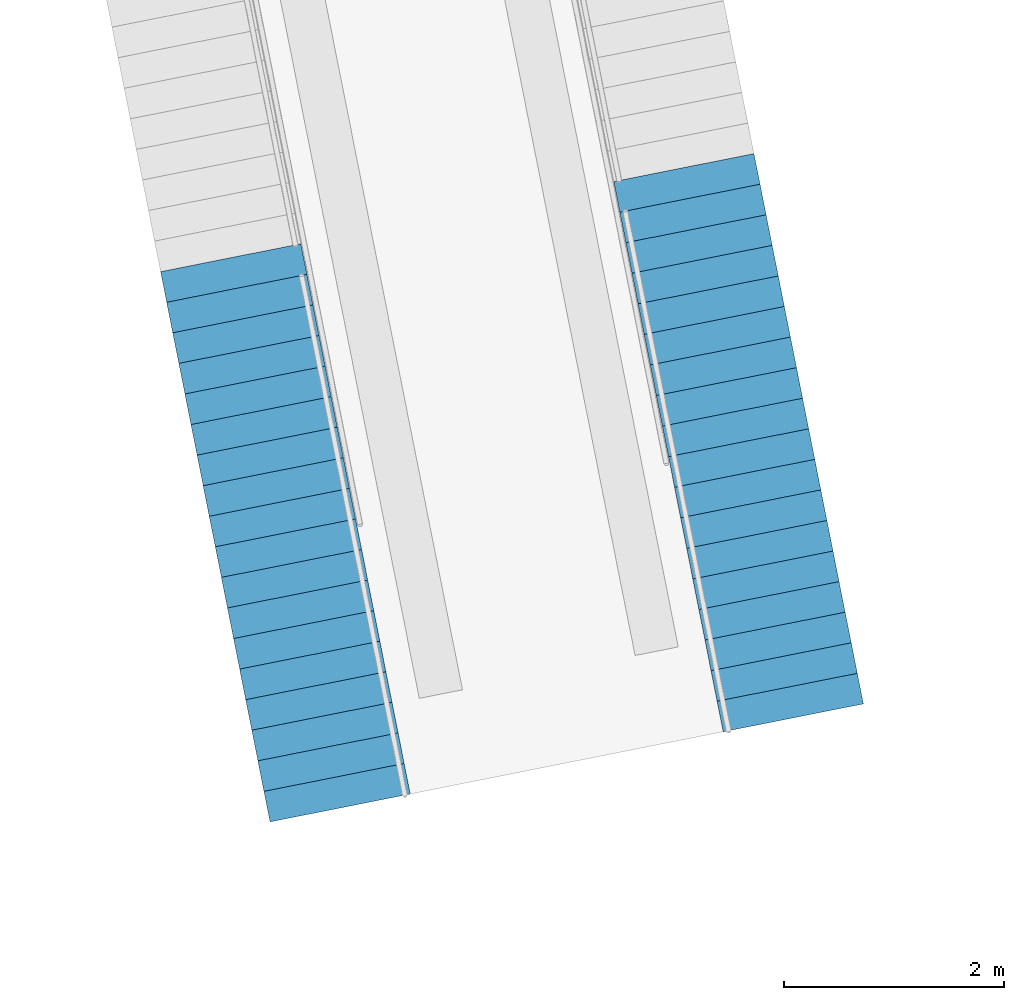
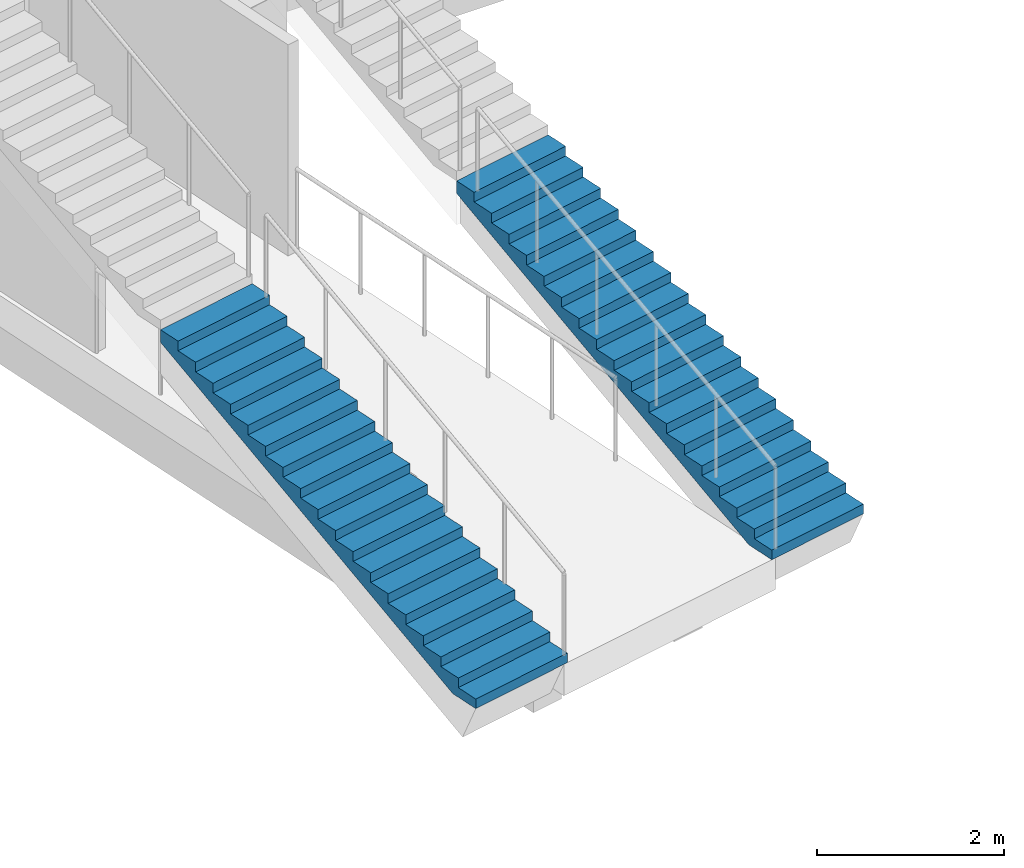
# One storey, part 120 of 175: 2 stair flights, 2 elements without a shape of their own.
"""IFC4 building model written with IfcOpenShell, lengths in metres."""

from ifc_helpers import new_model, si_unit, direction, frame, origin, place, context, subcontext, project, spatial, faceted_brep, material, type_object, element, aggregate, save


model = new_model("IFC4")

# Units and contexts
model_context = context("Model", 3, precision=1e-05, world=origin(), true_north=direction((0.0, 1.0)))
body_context = subcontext(model_context, "Body", "Model", "MODEL_VIEW")
ifc_project = project(units=[si_unit("LENGTHUNIT", "METRE"), si_unit("AREAUNIT", "SQUARE_METRE"), si_unit("VOLUMEUNIT", "CUBIC_METRE"), si_unit("PLANEANGLEUNIT", "RADIAN"), si_unit("MASSUNIT", "GRAM", prefix="KILO")], contexts=[model_context])

# Site, building, storey
site_placement = place(None, origin())
site = spatial("IfcSite", under=ifc_project, at=site_placement, CompositionType="ELEMENT")
building_placement = place(site_placement, origin())
building = spatial("IfcBuilding", under=site, at=building_placement, Name="Ogive Plaza Stadium", CompositionType="ELEMENT")
storey_placement = place(building_placement, origin())
storey = spatial("IfcBuildingStorey", under=building, at=storey_placement, Name="L00", CompositionType="ELEMENT", Elevation=0.0)

# Stair, stair flight
ifc_material_1 = material(Name="Concrete C40/50", Category="concrete")
stair_type = type_object("IfcStairType", Name="Aisle stair", PredefinedType="STRAIGHT_RUN_STAIR", material=ifc_material_1)
stair_1_placement = place(storey_placement, origin())
stair_1 = element("IfcStair", 1, at=stair_1_placement, inside=storey, type_object=stair_type, Name="Aisle stair SA31L", PredefinedType="STRAIGHT_RUN_STAIR")
ifc_material_2 = material(Name="Concrete C40/50", Category="concrete")
stair_flight_type = type_object("IfcStairFlightType", Name="Aisle stair flight", PredefinedType="STRAIGHT", material=ifc_material_2)
stair_flight_1_placement = place(storey_placement, frame((-34.89599609375, 67.7685546875, 0.0), z_axis=(0.0, 0.0, 1.0), x_axis=(-0.195090322016, 0.980785280403, 0.0)))
stair_flight_1 = element("IfcStairFlight", 2, at=stair_flight_1_placement, type_object=stair_flight_type, Name="SA31L flight 1", NumberOfRisers=18, NumberOfTreads=17, PredefinedType="STRAIGHT", RiserHeight=0.125, TreadLength=0.283333333, context=body_context, shape_type="Brep", body=[
    faceted_brep([(0.371337890625, -0.64990234375, 0.0), (5.10009765625, -0.64990234375, 2.086181640625), (5.10009765625, -0.64990234375, 2.25), (4.816650390625, -0.64990234375, 2.25), (4.816650390625, -0.64990234375, 2.125), (4.533447265625, -0.64990234375, 2.125), (4.533447265625, -0.64990234375, 2.0), (4.25, -0.64990234375, 2.0), (4.25, -0.64990234375, 1.875), (3.966552734375, -0.64990234375, 1.875), (3.966552734375, -0.64990234375, 1.75), (3.683349609375, -0.64990234375, 1.75), (3.683349609375, -0.64990234375, 1.625), (3.39990234375, -0.64990234375, 1.625), (3.39990234375, -0.64990234375, 1.5), (3.11669921875, -0.64990234375, 1.5), (3.11669921875, -0.64990234375, 1.375), (2.833251953125, -0.64990234375, 1.375), (2.833251953125, -0.64990234375, 1.25), (2.550048828125, -0.64990234375, 1.25), (2.550048828125, -0.64990234375, 1.125), (2.2666015625, -0.64990234375, 1.125), (2.2666015625, -0.64990234375, 1.0), (1.9833984375, -0.64990234375, 1.0), (1.9833984375, -0.64990234375, 0.875), (1.699951171875, -0.64990234375, 0.875), (1.699951171875, -0.64990234375, 0.75), (1.416748046875, -0.64990234375, 0.75), (1.416748046875, -0.64990234375, 0.625), (1.13330078125, -0.64990234375, 0.625), (1.13330078125, -0.64990234375, 0.5), (0.85009765625, -0.64990234375, 0.5), (0.85009765625, -0.64990234375, 0.375), (0.566650390625, -0.64990234375, 0.375), (0.566650390625, -0.64990234375, 0.25), (0.283447265625, -0.64990234375, 0.25), (0.283447265625, -0.64990234375, 0.125), (0.0, -0.64990234375, 0.125), (0.0, -0.64990234375, 0.0), (0.0, 0.64990234375, 0.0), (0.0, 0.64990234375, 0.125), (0.283447265625, 0.64990234375, 0.125), (0.283447265625, 0.64990234375, 0.25), (0.566650390625, 0.64990234375, 0.25), (0.566650390625, 0.64990234375, 0.375), (0.85009765625, 0.64990234375, 0.375), (0.85009765625, 0.64990234375, 0.5), (1.13330078125, 0.64990234375, 0.5), (1.13330078125, 0.64990234375, 0.625), (1.416748046875, 0.64990234375, 0.625), (1.416748046875, 0.64990234375, 0.75), (1.699951171875, 0.64990234375, 0.75), (1.699951171875, 0.64990234375, 0.875), (1.9833984375, 0.64990234375, 0.875), (1.9833984375, 0.64990234375, 1.0), (2.2666015625, 0.64990234375, 1.0), (2.2666015625, 0.64990234375, 1.125), (2.550048828125, 0.64990234375, 1.125), (2.550048828125, 0.64990234375, 1.25), (2.833251953125, 0.64990234375, 1.25), (2.833251953125, 0.64990234375, 1.375), (3.11669921875, 0.64990234375, 1.375), (3.11669921875, 0.64990234375, 1.5), (3.39990234375, 0.64990234375, 1.5), (3.39990234375, 0.64990234375, 1.625), (3.683349609375, 0.64990234375, 1.625), (3.683349609375, 0.64990234375, 1.75), (3.966552734375, 0.64990234375, 1.75), (3.966552734375, 0.64990234375, 1.875), (4.25, 0.64990234375, 1.875), (4.25, 0.64990234375, 2.0), (4.533447265625, 0.64990234375, 2.0), (4.533447265625, 0.64990234375, 2.125), (4.816650390625, 0.64990234375, 2.125), (4.816650390625, 0.64990234375, 2.25), (5.10009765625, 0.64990234375, 2.25), (5.10009765625, 0.64990234375, 2.086181640625), (0.371337890625, 0.64990234375, 0.0), (0.371337890625, -0.324951171875, 0.0), (5.10009765625, -0.324951171875, 2.086181640625), (0.371337890625, 0.0, 0.0), (5.10009765625, 0.0, 2.086181640625), (0.371337890625, 0.324951171875, 0.0), (5.10009765625, 0.324951171875, 2.086181640625), (5.10009765625, -0.324951171875, 2.25), (5.10009765625, 0.0, 2.25), (5.10009765625, 0.324951171875, 2.25), (4.816650390625, -0.324951171875, 2.25), (4.816650390625, 0.0, 2.25), (4.816650390625, 0.324951171875, 2.25), (4.816650390625, -0.324951171875, 2.125), (4.816650390625, 0.0, 2.125), (4.816650390625, 0.324951171875, 2.125), (4.533447265625, -0.324951171875, 2.125), (4.533447265625, 0.0, 2.125), (4.533447265625, 0.324951171875, 2.125), (4.533447265625, -0.324951171875, 2.0), (4.533447265625, 0.0, 2.0), (4.533447265625, 0.324951171875, 2.0), (4.25, -0.324951171875, 2.0), (4.25, 0.0, 2.0), (4.25, 0.324951171875, 2.0), (4.25, -0.324951171875, 1.875), (4.25, 0.0, 1.875), (4.25, 0.324951171875, 1.875), (3.966552734375, -0.324951171875, 1.875), (3.966552734375, 0.0, 1.875), (3.966552734375, 0.324951171875, 1.875), (3.966552734375, -0.324951171875, 1.75), (3.966552734375, 0.0, 1.75), (3.966552734375, 0.324951171875, 1.75), (3.683349609375, -0.324951171875, 1.75), (3.683349609375, 0.0, 1.75), (3.683349609375, 0.324951171875, 1.75), (3.683349609375, -0.324951171875, 1.625), (3.683349609375, 0.0, 1.625), (3.683349609375, 0.324951171875, 1.625), (3.39990234375, -0.324951171875, 1.625), (3.39990234375, 0.0, 1.625), (3.39990234375, 0.324951171875, 1.625), (3.39990234375, -0.324951171875, 1.5), (3.39990234375, 0.0, 1.5), (3.39990234375, 0.324951171875, 1.5), (3.11669921875, -0.324951171875, 1.5), (3.11669921875, 0.0, 1.5), (3.11669921875, 0.324951171875, 1.5), (3.11669921875, -0.324951171875, 1.375), (3.11669921875, 0.0, 1.375), (3.11669921875, 0.324951171875, 1.375), (2.833251953125, -0.324951171875, 1.375), (2.833251953125, 0.0, 1.375), (2.833251953125, 0.324951171875, 1.375), (2.833251953125, -0.324951171875, 1.25), (2.833251953125, 0.0, 1.25), (2.833251953125, 0.324951171875, 1.25), (2.550048828125, -0.324951171875, 1.25), (2.550048828125, 0.0, 1.25), (2.550048828125, 0.324951171875, 1.25), (2.550048828125, -0.324951171875, 1.125), (2.550048828125, 0.0, 1.125), (2.550048828125, 0.324951171875, 1.125), (2.2666015625, -0.324951171875, 1.125), (2.2666015625, 0.0, 1.125), (2.2666015625, 0.324951171875, 1.125), (2.2666015625, -0.324951171875, 1.0), (2.2666015625, 0.0, 1.0), (2.2666015625, 0.324951171875, 1.0), (1.9833984375, -0.324951171875, 1.0), (1.9833984375, 0.0, 1.0), (1.9833984375, 0.324951171875, 1.0), (1.9833984375, -0.324951171875, 0.875), (1.9833984375, 0.0, 0.875), (1.9833984375, 0.324951171875, 0.875), (1.699951171875, -0.324951171875, 0.875), (1.699951171875, 0.0, 0.875), (1.699951171875, 0.324951171875, 0.875), (1.699951171875, -0.324951171875, 0.75), (1.699951171875, 0.0, 0.75), (1.699951171875, 0.324951171875, 0.75), (1.416748046875, -0.324951171875, 0.75), (1.416748046875, 0.0, 0.75), (1.416748046875, 0.324951171875, 0.75), (1.416748046875, -0.324951171875, 0.625), (1.416748046875, 0.0, 0.625), (1.416748046875, 0.324951171875, 0.625), (1.13330078125, -0.324951171875, 0.625), (1.13330078125, 0.0, 0.625), (1.13330078125, 0.324951171875, 0.625), (1.13330078125, -0.324951171875, 0.5), (1.13330078125, 0.0, 0.5), (1.13330078125, 0.324951171875, 0.5), (0.85009765625, -0.324951171875, 0.5), (0.85009765625, 0.0, 0.5), (0.85009765625, 0.324951171875, 0.5), (0.85009765625, -0.324951171875, 0.375), (0.85009765625, 0.0, 0.375), (0.85009765625, 0.324951171875, 0.375), (0.566650390625, -0.324951171875, 0.375), (0.566650390625, 0.0, 0.375), (0.566650390625, 0.324951171875, 0.375), (0.566650390625, -0.324951171875, 0.25), (0.566650390625, 0.0, 0.25), (0.566650390625, 0.324951171875, 0.25), (0.283447265625, -0.324951171875, 0.25), (0.283447265625, 0.0, 0.25), (0.283447265625, 0.324951171875, 0.25), (0.283447265625, -0.324951171875, 0.125), (0.283447265625, 0.0, 0.125), (0.283447265625, 0.324951171875, 0.125), (0.0, -0.324951171875, 0.125), (0.0, 0.0, 0.125), (0.0, 0.324951171875, 0.125), (0.0, -0.324951171875, 0.0), (0.0, 0.0, 0.0), (0.0, 0.324951171875, 0.0)], [[[0, 1, 2, 3, 4, 5, 6, 7, 8, 9, 10, 11, 12, 13, 14, 15, 16, 17, 18, 19, 20, 21, 22, 23, 24, 25, 26, 27, 28, 29, 30, 31, 32, 33, 34, 35, 36, 37, 38]], [[39, 40, 41, 42, 43, 44, 45, 46, 47, 48, 49, 50, 51, 52, 53, 54, 55, 56, 57, 58, 59, 60, 61, 62, 63, 64, 65, 66, 67, 68, 69, 70, 71, 72, 73, 74, 75, 76, 77]], [[0, 78, 79, 1]], [[78, 80, 81, 79]], [[80, 82, 83, 81]], [[82, 77, 76, 83]], [[1, 79, 84, 2]], [[79, 81, 85, 84]], [[81, 83, 86, 85]], [[83, 76, 75, 86]], [[2, 84, 87, 3]], [[84, 85, 88, 87]], [[85, 86, 89, 88]], [[86, 75, 74, 89]], [[3, 87, 90, 4]], [[87, 88, 91, 90]], [[88, 89, 92, 91]], [[89, 74, 73, 92]], [[4, 90, 93, 5]], [[90, 91, 94, 93]], [[91, 92, 95, 94]], [[92, 73, 72, 95]], [[5, 93, 96, 6]], [[93, 94, 97, 96]], [[94, 95, 98, 97]], [[95, 72, 71, 98]], [[6, 96, 99, 7]], [[96, 97, 100, 99]], [[97, 98, 101, 100]], [[98, 71, 70, 101]], [[7, 99, 102, 8]], [[99, 100, 103, 102]], [[100, 101, 104, 103]], [[101, 70, 69, 104]], [[8, 102, 105, 9]], [[102, 103, 106, 105]], [[103, 104, 107, 106]], [[104, 69, 68, 107]], [[9, 105, 108, 10]], [[105, 106, 109, 108]], [[106, 107, 110, 109]], [[107, 68, 67, 110]], [[10, 108, 111, 11]], [[108, 109, 112, 111]], [[109, 110, 113, 112]], [[110, 67, 66, 113]], [[11, 111, 114, 12]], [[111, 112, 115, 114]], [[112, 113, 116, 115]], [[113, 66, 65, 116]], [[12, 114, 117, 13]], [[114, 115, 118, 117]], [[115, 116, 119, 118]], [[116, 65, 64, 119]], [[13, 117, 120, 14]], [[117, 118, 121, 120]], [[118, 119, 122, 121]], [[119, 64, 63, 122]], [[14, 120, 123, 15]], [[120, 121, 124, 123]], [[121, 122, 125, 124]], [[122, 63, 62, 125]], [[15, 123, 126, 16]], [[123, 124, 127, 126]], [[124, 125, 128, 127]], [[125, 62, 61, 128]], [[16, 126, 129, 17]], [[126, 127, 130, 129]], [[127, 128, 131, 130]], [[128, 61, 60, 131]], [[17, 129, 132, 18]], [[129, 130, 133, 132]], [[130, 131, 134, 133]], [[131, 60, 59, 134]], [[18, 132, 135, 19]], [[132, 133, 136, 135]], [[133, 134, 137, 136]], [[134, 59, 58, 137]], [[19, 135, 138, 20]], [[135, 136, 139, 138]], [[136, 137, 140, 139]], [[137, 58, 57, 140]], [[20, 138, 141, 21]], [[138, 139, 142, 141]], [[139, 140, 143, 142]], [[140, 57, 56, 143]], [[21, 141, 144, 22]], [[141, 142, 145, 144]], [[142, 143, 146, 145]], [[143, 56, 55, 146]], [[22, 144, 147, 23]], [[144, 145, 148, 147]], [[145, 146, 149, 148]], [[146, 55, 54, 149]], [[23, 147, 150, 24]], [[147, 148, 151, 150]], [[148, 149, 152, 151]], [[149, 54, 53, 152]], [[24, 150, 153, 25]], [[150, 151, 154, 153]], [[151, 152, 155, 154]], [[152, 53, 52, 155]], [[25, 153, 156, 26]], [[153, 154, 157, 156]], [[154, 155, 158, 157]], [[155, 52, 51, 158]], [[26, 156, 159, 27]], [[156, 157, 160, 159]], [[157, 158, 161, 160]], [[158, 51, 50, 161]], [[27, 159, 162, 28]], [[159, 160, 163, 162]], [[160, 161, 164, 163]], [[161, 50, 49, 164]], [[28, 162, 165, 29]], [[162, 163, 166, 165]], [[163, 164, 167, 166]], [[164, 49, 48, 167]], [[29, 165, 168, 30]], [[165, 166, 169, 168]], [[166, 167, 170, 169]], [[167, 48, 47, 170]], [[30, 168, 171, 31]], [[168, 169, 172, 171]], [[169, 170, 173, 172]], [[170, 47, 46, 173]], [[31, 171, 174, 32]], [[171, 172, 175, 174]], [[172, 173, 176, 175]], [[173, 46, 45, 176]], [[32, 174, 177, 33]], [[174, 175, 178, 177]], [[175, 176, 179, 178]], [[176, 45, 44, 179]], [[33, 177, 180, 34]], [[177, 178, 181, 180]], [[178, 179, 182, 181]], [[179, 44, 43, 182]], [[34, 180, 183, 35]], [[180, 181, 184, 183]], [[181, 182, 185, 184]], [[182, 43, 42, 185]], [[35, 183, 186, 36]], [[183, 184, 187, 186]], [[184, 185, 188, 187]], [[185, 42, 41, 188]], [[36, 186, 189, 37]], [[186, 187, 190, 189]], [[187, 188, 191, 190]], [[188, 41, 40, 191]], [[37, 189, 192, 38]], [[189, 190, 193, 192]], [[190, 191, 194, 193]], [[191, 40, 39, 194]], [[38, 192, 78, 0]], [[192, 193, 80, 78]], [[193, 194, 82, 80]], [[194, 39, 77, 82]]]),
])
aggregate(stair_1, [stair_flight_1])

stair_2_placement = place(storey_placement, origin())
stair_2 = element("IfcStair", 3, at=stair_2_placement, inside=storey, type_object=stair_type, Name="Aisle stair SA31R", PredefinedType="STRAIGHT_RUN_STAIR")
stair_flight_2_placement = place(storey_placement, frame((-39.015380859375, 66.94921875, 0.0), z_axis=(0.0, 0.0, 1.0), x_axis=(-0.195090322016, 0.980785280403, 0.0)))
stair_flight_2 = element("IfcStairFlight", 4, at=stair_flight_2_placement, type_object=stair_flight_type, Name="SA31R flight 1", NumberOfRisers=18, NumberOfTreads=17, PredefinedType="STRAIGHT", RiserHeight=0.125, TreadLength=0.283333333, context=body_context, shape_type="Brep", body=[
    faceted_brep([(0.371337890625, -0.64990234375, 0.0), (5.10009765625, -0.64990234375, 2.086181640625), (5.10009765625, -0.64990234375, 2.25), (4.816650390625, -0.64990234375, 2.25), (4.816650390625, -0.64990234375, 2.125), (4.533447265625, -0.64990234375, 2.125), (4.533447265625, -0.64990234375, 2.0), (4.25, -0.64990234375, 2.0), (4.25, -0.64990234375, 1.875), (3.966552734375, -0.64990234375, 1.875), (3.966552734375, -0.64990234375, 1.75), (3.683349609375, -0.64990234375, 1.75), (3.683349609375, -0.64990234375, 1.625), (3.39990234375, -0.64990234375, 1.625), (3.39990234375, -0.64990234375, 1.5), (3.11669921875, -0.64990234375, 1.5), (3.11669921875, -0.64990234375, 1.375), (2.833251953125, -0.64990234375, 1.375), (2.833251953125, -0.64990234375, 1.25), (2.550048828125, -0.64990234375, 1.25), (2.550048828125, -0.64990234375, 1.125), (2.2666015625, -0.64990234375, 1.125), (2.2666015625, -0.64990234375, 1.0), (1.9833984375, -0.64990234375, 1.0), (1.9833984375, -0.64990234375, 0.875), (1.699951171875, -0.64990234375, 0.875), (1.699951171875, -0.64990234375, 0.75), (1.416748046875, -0.64990234375, 0.75), (1.416748046875, -0.64990234375, 0.625), (1.13330078125, -0.64990234375, 0.625), (1.13330078125, -0.64990234375, 0.5), (0.85009765625, -0.64990234375, 0.5), (0.85009765625, -0.64990234375, 0.375), (0.566650390625, -0.64990234375, 0.375), (0.566650390625, -0.64990234375, 0.25), (0.283447265625, -0.64990234375, 0.25), (0.283447265625, -0.64990234375, 0.125), (0.0, -0.64990234375, 0.125), (0.0, -0.64990234375, 0.0), (0.0, 0.64990234375, 0.0), (0.0, 0.64990234375, 0.125), (0.283447265625, 0.64990234375, 0.125), (0.283447265625, 0.64990234375, 0.25), (0.566650390625, 0.64990234375, 0.25), (0.566650390625, 0.64990234375, 0.375), (0.85009765625, 0.64990234375, 0.375), (0.85009765625, 0.64990234375, 0.5), (1.13330078125, 0.64990234375, 0.5), (1.13330078125, 0.64990234375, 0.625), (1.416748046875, 0.64990234375, 0.625), (1.416748046875, 0.64990234375, 0.75), (1.699951171875, 0.64990234375, 0.75), (1.699951171875, 0.64990234375, 0.875), (1.9833984375, 0.64990234375, 0.875), (1.9833984375, 0.64990234375, 1.0), (2.2666015625, 0.64990234375, 1.0), (2.2666015625, 0.64990234375, 1.125), (2.550048828125, 0.64990234375, 1.125), (2.550048828125, 0.64990234375, 1.25), (2.833251953125, 0.64990234375, 1.25), (2.833251953125, 0.64990234375, 1.375), (3.11669921875, 0.64990234375, 1.375), (3.11669921875, 0.64990234375, 1.5), (3.39990234375, 0.64990234375, 1.5), (3.39990234375, 0.64990234375, 1.625), (3.683349609375, 0.64990234375, 1.625), (3.683349609375, 0.64990234375, 1.75), (3.966552734375, 0.64990234375, 1.75), (3.966552734375, 0.64990234375, 1.875), (4.25, 0.64990234375, 1.875), (4.25, 0.64990234375, 2.0), (4.533447265625, 0.64990234375, 2.0), (4.533447265625, 0.64990234375, 2.125), (4.816650390625, 0.64990234375, 2.125), (4.816650390625, 0.64990234375, 2.25), (5.10009765625, 0.64990234375, 2.25), (5.10009765625, 0.64990234375, 2.086181640625), (0.371337890625, 0.64990234375, 0.0), (0.371337890625, -0.324951171875, 0.0), (5.10009765625, -0.324951171875, 2.086181640625), (0.371337890625, 0.0, 0.0), (5.10009765625, 0.0, 2.086181640625), (0.371337890625, 0.324951171875, 0.0), (5.10009765625, 0.324951171875, 2.086181640625), (5.10009765625, -0.324951171875, 2.25), (5.10009765625, 0.0, 2.25), (5.10009765625, 0.324951171875, 2.25), (4.816650390625, -0.324951171875, 2.25), (4.816650390625, 0.0, 2.25), (4.816650390625, 0.324951171875, 2.25), (4.816650390625, -0.324951171875, 2.125), (4.816650390625, 0.0, 2.125), (4.816650390625, 0.324951171875, 2.125), (4.533447265625, -0.324951171875, 2.125), (4.533447265625, 0.0, 2.125), (4.533447265625, 0.324951171875, 2.125), (4.533447265625, -0.324951171875, 2.0), (4.533447265625, 0.0, 2.0), (4.533447265625, 0.324951171875, 2.0), (4.25, -0.324951171875, 2.0), (4.25, 0.0, 2.0), (4.25, 0.324951171875, 2.0), (4.25, -0.324951171875, 1.875), (4.25, 0.0, 1.875), (4.25, 0.324951171875, 1.875), (3.966552734375, -0.324951171875, 1.875), (3.966552734375, 0.0, 1.875), (3.966552734375, 0.324951171875, 1.875), (3.966552734375, -0.324951171875, 1.75), (3.966552734375, 0.0, 1.75), (3.966552734375, 0.324951171875, 1.75), (3.683349609375, -0.324951171875, 1.75), (3.683349609375, 0.0, 1.75), (3.683349609375, 0.324951171875, 1.75), (3.683349609375, -0.324951171875, 1.625), (3.683349609375, 0.0, 1.625), (3.683349609375, 0.324951171875, 1.625), (3.39990234375, -0.324951171875, 1.625), (3.39990234375, 0.0, 1.625), (3.39990234375, 0.324951171875, 1.625), (3.39990234375, -0.324951171875, 1.5), (3.39990234375, 0.0, 1.5), (3.39990234375, 0.324951171875, 1.5), (3.11669921875, -0.324951171875, 1.5), (3.11669921875, 0.0, 1.5), (3.11669921875, 0.324951171875, 1.5), (3.11669921875, -0.324951171875, 1.375), (3.11669921875, 0.0, 1.375), (3.11669921875, 0.324951171875, 1.375), (2.833251953125, -0.324951171875, 1.375), (2.833251953125, 0.0, 1.375), (2.833251953125, 0.324951171875, 1.375), (2.833251953125, -0.324951171875, 1.25), (2.833251953125, 0.0, 1.25), (2.833251953125, 0.324951171875, 1.25), (2.550048828125, -0.324951171875, 1.25), (2.550048828125, 0.0, 1.25), (2.550048828125, 0.324951171875, 1.25), (2.550048828125, -0.324951171875, 1.125), (2.550048828125, 0.0, 1.125), (2.550048828125, 0.324951171875, 1.125), (2.2666015625, -0.324951171875, 1.125), (2.2666015625, 0.0, 1.125), (2.2666015625, 0.324951171875, 1.125), (2.2666015625, -0.324951171875, 1.0), (2.2666015625, 0.0, 1.0), (2.2666015625, 0.324951171875, 1.0), (1.9833984375, -0.324951171875, 1.0), (1.9833984375, 0.0, 1.0), (1.9833984375, 0.324951171875, 1.0), (1.9833984375, -0.324951171875, 0.875), (1.9833984375, 0.0, 0.875), (1.9833984375, 0.324951171875, 0.875), (1.699951171875, -0.324951171875, 0.875), (1.699951171875, 0.0, 0.875), (1.699951171875, 0.324951171875, 0.875), (1.699951171875, -0.324951171875, 0.75), (1.699951171875, 0.0, 0.75), (1.699951171875, 0.324951171875, 0.75), (1.416748046875, -0.324951171875, 0.75), (1.416748046875, 0.0, 0.75), (1.416748046875, 0.324951171875, 0.75), (1.416748046875, -0.324951171875, 0.625), (1.416748046875, 0.0, 0.625), (1.416748046875, 0.324951171875, 0.625), (1.13330078125, -0.324951171875, 0.625), (1.13330078125, 0.0, 0.625), (1.13330078125, 0.324951171875, 0.625), (1.13330078125, -0.324951171875, 0.5), (1.13330078125, 0.0, 0.5), (1.13330078125, 0.324951171875, 0.5), (0.85009765625, -0.324951171875, 0.5), (0.85009765625, 0.0, 0.5), (0.85009765625, 0.324951171875, 0.5), (0.85009765625, -0.324951171875, 0.375), (0.85009765625, 0.0, 0.375), (0.85009765625, 0.324951171875, 0.375), (0.566650390625, -0.324951171875, 0.375), (0.566650390625, 0.0, 0.375), (0.566650390625, 0.324951171875, 0.375), (0.566650390625, -0.324951171875, 0.25), (0.566650390625, 0.0, 0.25), (0.566650390625, 0.324951171875, 0.25), (0.283447265625, -0.324951171875, 0.25), (0.283447265625, 0.0, 0.25), (0.283447265625, 0.324951171875, 0.25), (0.283447265625, -0.324951171875, 0.125), (0.283447265625, 0.0, 0.125), (0.283447265625, 0.324951171875, 0.125), (0.0, -0.324951171875, 0.125), (0.0, 0.0, 0.125), (0.0, 0.324951171875, 0.125), (0.0, -0.324951171875, 0.0), (0.0, 0.0, 0.0), (0.0, 0.324951171875, 0.0)], [[[0, 1, 2, 3, 4, 5, 6, 7, 8, 9, 10, 11, 12, 13, 14, 15, 16, 17, 18, 19, 20, 21, 22, 23, 24, 25, 26, 27, 28, 29, 30, 31, 32, 33, 34, 35, 36, 37, 38]], [[39, 40, 41, 42, 43, 44, 45, 46, 47, 48, 49, 50, 51, 52, 53, 54, 55, 56, 57, 58, 59, 60, 61, 62, 63, 64, 65, 66, 67, 68, 69, 70, 71, 72, 73, 74, 75, 76, 77]], [[0, 78, 79, 1]], [[78, 80, 81, 79]], [[80, 82, 83, 81]], [[82, 77, 76, 83]], [[1, 79, 84, 2]], [[79, 81, 85, 84]], [[81, 83, 86, 85]], [[83, 76, 75, 86]], [[2, 84, 87, 3]], [[84, 85, 88, 87]], [[85, 86, 89, 88]], [[86, 75, 74, 89]], [[3, 87, 90, 4]], [[87, 88, 91, 90]], [[88, 89, 92, 91]], [[89, 74, 73, 92]], [[4, 90, 93, 5]], [[90, 91, 94, 93]], [[91, 92, 95, 94]], [[92, 73, 72, 95]], [[5, 93, 96, 6]], [[93, 94, 97, 96]], [[94, 95, 98, 97]], [[95, 72, 71, 98]], [[6, 96, 99, 7]], [[96, 97, 100, 99]], [[97, 98, 101, 100]], [[98, 71, 70, 101]], [[7, 99, 102, 8]], [[99, 100, 103, 102]], [[100, 101, 104, 103]], [[101, 70, 69, 104]], [[8, 102, 105, 9]], [[102, 103, 106, 105]], [[103, 104, 107, 106]], [[104, 69, 68, 107]], [[9, 105, 108, 10]], [[105, 106, 109, 108]], [[106, 107, 110, 109]], [[107, 68, 67, 110]], [[10, 108, 111, 11]], [[108, 109, 112, 111]], [[109, 110, 113, 112]], [[110, 67, 66, 113]], [[11, 111, 114, 12]], [[111, 112, 115, 114]], [[112, 113, 116, 115]], [[113, 66, 65, 116]], [[12, 114, 117, 13]], [[114, 115, 118, 117]], [[115, 116, 119, 118]], [[116, 65, 64, 119]], [[13, 117, 120, 14]], [[117, 118, 121, 120]], [[118, 119, 122, 121]], [[119, 64, 63, 122]], [[14, 120, 123, 15]], [[120, 121, 124, 123]], [[121, 122, 125, 124]], [[122, 63, 62, 125]], [[15, 123, 126, 16]], [[123, 124, 127, 126]], [[124, 125, 128, 127]], [[125, 62, 61, 128]], [[16, 126, 129, 17]], [[126, 127, 130, 129]], [[127, 128, 131, 130]], [[128, 61, 60, 131]], [[17, 129, 132, 18]], [[129, 130, 133, 132]], [[130, 131, 134, 133]], [[131, 60, 59, 134]], [[18, 132, 135, 19]], [[132, 133, 136, 135]], [[133, 134, 137, 136]], [[134, 59, 58, 137]], [[19, 135, 138, 20]], [[135, 136, 139, 138]], [[136, 137, 140, 139]], [[137, 58, 57, 140]], [[20, 138, 141, 21]], [[138, 139, 142, 141]], [[139, 140, 143, 142]], [[140, 57, 56, 143]], [[21, 141, 144, 22]], [[141, 142, 145, 144]], [[142, 143, 146, 145]], [[143, 56, 55, 146]], [[22, 144, 147, 23]], [[144, 145, 148, 147]], [[145, 146, 149, 148]], [[146, 55, 54, 149]], [[23, 147, 150, 24]], [[147, 148, 151, 150]], [[148, 149, 152, 151]], [[149, 54, 53, 152]], [[24, 150, 153, 25]], [[150, 151, 154, 153]], [[151, 152, 155, 154]], [[152, 53, 52, 155]], [[25, 153, 156, 26]], [[153, 154, 157, 156]], [[154, 155, 158, 157]], [[155, 52, 51, 158]], [[26, 156, 159, 27]], [[156, 157, 160, 159]], [[157, 158, 161, 160]], [[158, 51, 50, 161]], [[27, 159, 162, 28]], [[159, 160, 163, 162]], [[160, 161, 164, 163]], [[161, 50, 49, 164]], [[28, 162, 165, 29]], [[162, 163, 166, 165]], [[163, 164, 167, 166]], [[164, 49, 48, 167]], [[29, 165, 168, 30]], [[165, 166, 169, 168]], [[166, 167, 170, 169]], [[167, 48, 47, 170]], [[30, 168, 171, 31]], [[168, 169, 172, 171]], [[169, 170, 173, 172]], [[170, 47, 46, 173]], [[31, 171, 174, 32]], [[171, 172, 175, 174]], [[172, 173, 176, 175]], [[173, 46, 45, 176]], [[32, 174, 177, 33]], [[174, 175, 178, 177]], [[175, 176, 179, 178]], [[176, 45, 44, 179]], [[33, 177, 180, 34]], [[177, 178, 181, 180]], [[178, 179, 182, 181]], [[179, 44, 43, 182]], [[34, 180, 183, 35]], [[180, 181, 184, 183]], [[181, 182, 185, 184]], [[182, 43, 42, 185]], [[35, 183, 186, 36]], [[183, 184, 187, 186]], [[184, 185, 188, 187]], [[185, 42, 41, 188]], [[36, 186, 189, 37]], [[186, 187, 190, 189]], [[187, 188, 191, 190]], [[188, 41, 40, 191]], [[37, 189, 192, 38]], [[189, 190, 193, 192]], [[190, 191, 194, 193]], [[191, 40, 39, 194]], [[38, 192, 78, 0]], [[192, 193, 80, 78]], [[193, 194, 82, 80]], [[194, 39, 77, 82]]]),
])
aggregate(stair_2, [stair_flight_2])

save(model, "model.ifc")
